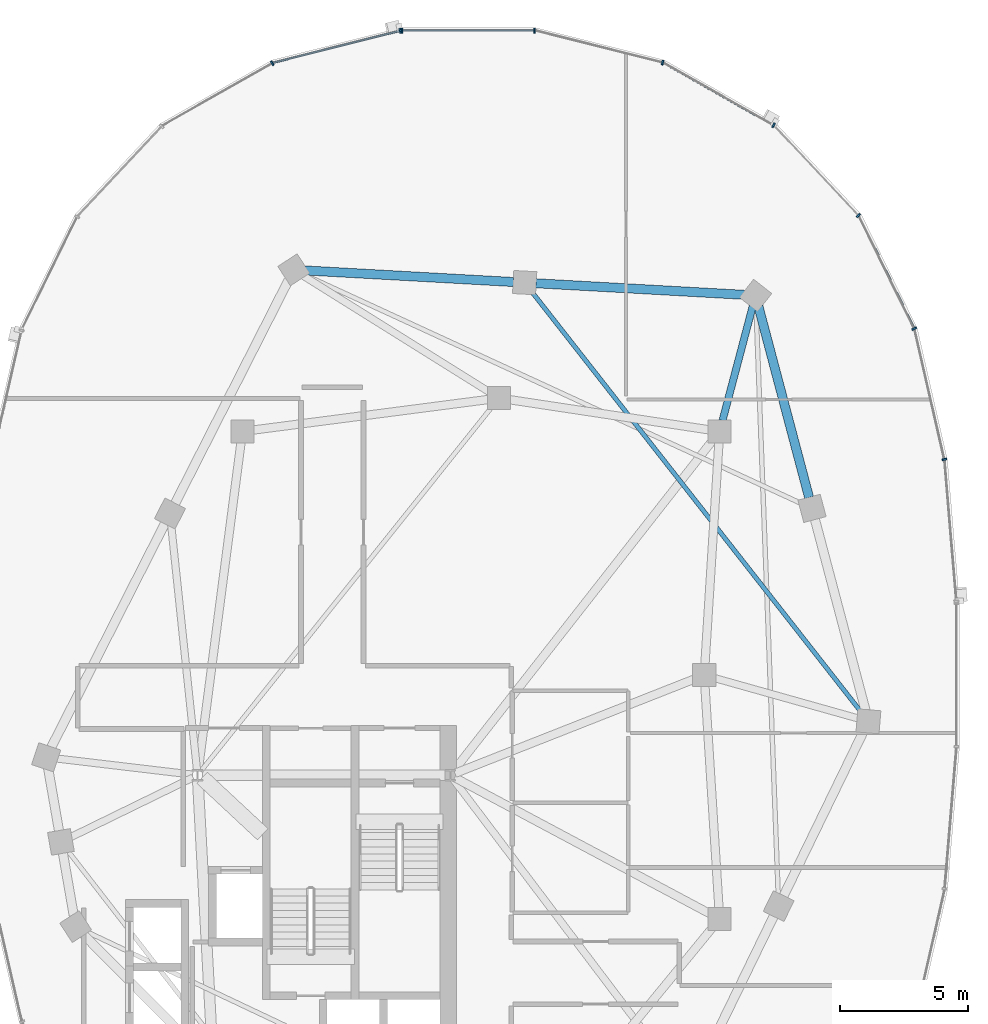
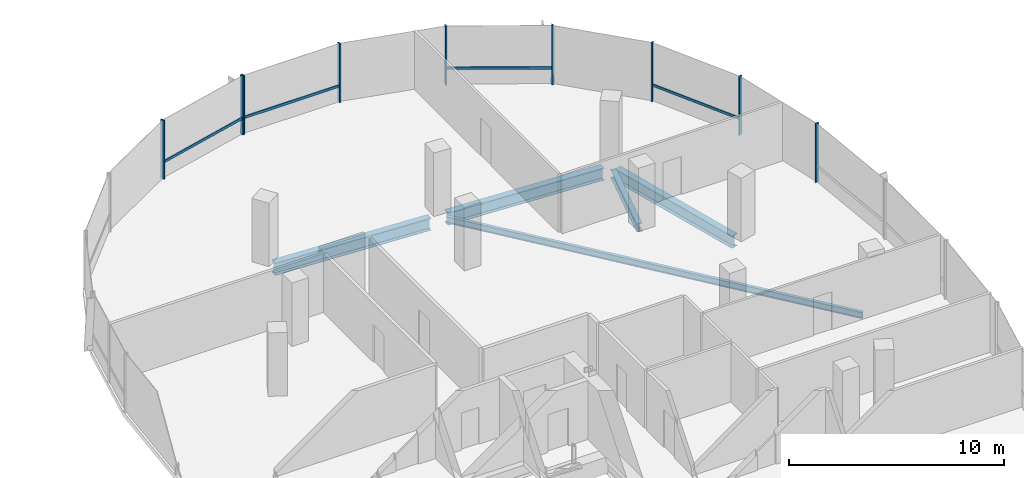
# One storey, part 12 of 25: 13 members, 5 beams, 2 elements without a shape of their own.
"""IFC4 building model written with IfcOpenShell, lengths in metres."""

from ifc_helpers import new_model, si_unit, direction, frame, origin, origin_2d, place, context, subcontext, project, spatial, rectangle, i_section, extrude, material, material_profile, profile_set, type_object, element, aggregate, save


model = new_model("IFC4")

# Units and contexts
model_context = context("Model", 3, precision=1e-05, world=origin(), true_north=direction((0.0, 1.0)))
body_context = subcontext(model_context, "Body", "Model", "MODEL_VIEW")
ifc_project = project(units=[si_unit("LENGTHUNIT", "METRE"), si_unit("AREAUNIT", "SQUARE_METRE"), si_unit("VOLUMEUNIT", "CUBIC_METRE"), si_unit("PLANEANGLEUNIT", "RADIAN"), si_unit("MASSUNIT", "GRAM", prefix="KILO"), si_unit("THERMODYNAMICTEMPERATUREUNIT", "KELVIN"), si_unit("POWERUNIT", "WATT")], contexts=[model_context])

# Site, building, storey
site_placement = place(None, origin())
site = spatial("IfcSite", under=ifc_project, at=site_placement, CompositionType="ELEMENT")
building_placement = place(site_placement, origin())
building = spatial("IfcBuilding", under=site, at=building_placement, Name="Cundina Bronze Exchange", CompositionType="ELEMENT")
storey_placement = place(building_placement, frame((0.0, 0.0, 213.39990234375)))
storey = spatial("IfcBuildingStorey", under=building, at=storey_placement, Name="L56", CompositionType="ELEMENT", Elevation=213.39990234375)

# Beams
ifc_material_1 = material(Name="Steel ASTM A992 Grade 50", Category="steel")
ifc_material_profile_1 = material_profile(ifc_material_1, i_section(OverallWidth=0.280029296875, OverallDepth=0.462890625, WebThickness=0.0107421875, FlangeThickness=0.017333984375, FilletRadius=0.011962890625, at=origin_2d()), Name="W18X76", Category="steel")
ifc_profile_set_1 = profile_set([ifc_material_profile_1], Name="Steel ASTM A992 Grade 50")
beam_type_1 = type_object("IfcBeamType", Name="BM-FLR-W18A", PredefinedType="BEAM", material=ifc_profile_set_1)
beam_1_placement = place(storey_placement, frame((41.911865234375, 9.923583984375, -0.491455078125), z_axis=(0.255398602339, 0.96683584642, 0.0), x_axis=(-0.96683584642, 0.255398602339, 0.0)))
element("IfcBeam", 1, at=beam_1_placement, inside=storey, type_object=beam_type_1, Name="L56 Leg E Chordal Floor Beam 10", PredefinedType="BEAM", context=body_context, shape_type="SweptSolid", body=[
    extrude(i_section(OverallWidth=0.280029296875, OverallDepth=0.462890625, WebThickness=0.0107421875, FlangeThickness=0.017333984375, FilletRadius=0.011962890625, at=origin_2d()), origin(), (0.0, 0.0, 1.0), 4.605712890625),
])
ifc_material_profile_2 = material_profile(ifc_material_1, i_section(OverallWidth=0.172119140625, OverallDepth=0.35791015625, WebThickness=0.0078125, FlangeThickness=0.01318359375, FilletRadius=0.010009765625, at=origin_2d()), Name="W14X38", Category="steel")
ifc_profile_set_2 = profile_set([ifc_material_profile_2], Name="Steel ASTM A992 Grade 50")
beam_type_2 = type_object("IfcBeamType", Name="BM-JST-W14", PredefinedType="JOIST", material=ifc_profile_set_2)
beam_2_placement = place(storey_placement, frame((47.329833984375, -1.455078125, -0.43896484375), z_axis=(-0.616810493522, 0.787111691618, 0.0), x_axis=(-0.787111691618, -0.616810493522, 0.0)))
element("IfcBeam", 2, at=beam_2_placement, inside=storey, type_object=beam_type_2, Name="L56 Leg E Lobe Floor Joist 08-11", PredefinedType="JOIST", context=body_context, shape_type="SweptSolid", body=[
    extrude(i_section(OverallWidth=0.172119140625, OverallDepth=0.35791015625, WebThickness=0.0078125, FlangeThickness=0.01318359375, FilletRadius=0.010009765625, at=origin_2d()), origin(), (0.0, 0.0, 1.0), 20.8486328125),
])
ifc_material_profile_3 = material_profile(ifc_material_1, i_section(OverallWidth=0.35498046875, OverallDepth=0.695068359375, WebThickness=0.015380859375, FlangeThickness=0.02490234375, FilletRadius=0.01806640625, at=origin_2d()), Name="W27X146", Category="steel")
ifc_profile_set_3 = profile_set([ifc_material_profile_3], Name="Steel ASTM A992 Grade 50")
beam_type_3 = type_object("IfcBeamType", Name="BM-RING-W27", PredefinedType="USERDEFINED", material=ifc_profile_set_3)
beam_3_placement = place(storey_placement, frame((45.287841796875, 6.92333984375, -0.607421875), z_axis=(-0.256211934474, 0.966620631185, 0.0), x_axis=(-0.966620631185, -0.256211934474, 0.0)))
element("IfcBeam", 3, at=beam_3_placement, inside=storey, type_object=beam_type_3, Name="L56 E Perimeter Ring Girder 09", ObjectType="GIRDER", PredefinedType="USERDEFINED", context=body_context, shape_type="SweptSolid", body=[
    extrude(i_section(OverallWidth=0.35498046875, OverallDepth=0.695068359375, WebThickness=0.015380859375, FlangeThickness=0.02490234375, FilletRadius=0.01806640625, at=origin_2d()), origin(), (0.0, 0.0, 1.0), 7.710693359375),
])
for number, where, z_axis, x_axis, name in (
    (4, (42.7626953125, 14.82421875, -0.607421875), (-0.998460353205, 0.055470019623, 0.0), (-0.055470019623, -0.998460353205, 0.0), "L56 E Perimeter Ring Girder 10"),
    (5, (33.7626953125, 15.32421875, -0.607421875), (-0.998460353205, 0.055470019623, 0.0), (-0.055470019623, -0.998460353205, 0.0), "L56 E Perimeter Ring Girder 11"),
):
    element("IfcBeam", number, at=place(storey_placement, frame(where, z_axis=z_axis, x_axis=x_axis)), inside=storey, type_object=beam_type_3, Name=name, ObjectType="GIRDER", PredefinedType="USERDEFINED", context=body_context, shape_type="SweptSolid", body=[
        extrude(i_section(OverallWidth=0.35498046875, OverallDepth=0.695068359375, WebThickness=0.015380859375, FlangeThickness=0.02490234375, FilletRadius=0.01806640625, at=origin_2d()), origin(), (0.0, 0.0, 1.0), 8.137939453125),
    ])

# Curtain wall, members
ifc_material_2 = material(Name="Anodised Bronze Aluminium 6063-T6", Category="aluminium")
curtain_wall_type = type_object("IfcCurtainWallType", Name="CWS-UPP-OFF", PredefinedType="NOTDEFINED", material=ifc_material_2)
curtain_wall_1_placement = place(storey_placement, origin())
curtain_wall_1 = element("IfcCurtainWall", 6, at=curtain_wall_1_placement, inside=storey, type_object=curtain_wall_type, Name="L56 CW-05 Curtain Wall Run CWR-L56-E1", PredefinedType="NOTDEFINED")
ifc_material_profile_4 = material_profile(ifc_material_2, rectangle(XDim=0.070068359375, YDim=0.18994140625, at=origin_2d()), Name="AL70X190", Category="aluminium")
ifc_profile_set_4 = profile_set([ifc_material_profile_4], Name="Anodised Bronze Aluminium 6063-T6")
member_type_1 = type_object("IfcMemberType", Name="CWM-MUL-190", PredefinedType="MULLION", material=ifc_profile_set_4)
member_1_placement = place(storey_placement, frame((50.56005859375, 8.4111328125, 0.0), z_axis=(0.0, 0.0, 1.0), x_axis=(-0.223250116011, 0.974761194191, 0.0)))
member_1 = element("IfcMember", 7, at=member_1_placement, type_object=member_type_1, Name="CW-05 Mullion 2", PredefinedType="MULLION", context=body_context, shape_type="SweptSolid", body=[
    extrude(rectangle(XDim=0.070068359375, YDim=0.18994140625, at=origin_2d()), origin(), (0.0, 0.0, 1.0), 3.340087890625),
])
member_2_placement = place(storey_placement, frame((49.38427734375, 13.50732421875, 0.0), z_axis=(0.0, 0.0, 1.0), x_axis=(-0.440566004113, 0.897720221461, 0.0)))
member_2 = element("IfcMember", 8, at=member_2_placement, type_object=member_type_1, Name="CW-05 Mullion 3", PredefinedType="MULLION", context=body_context, shape_type="SweptSolid", body=[
    extrude(rectangle(XDim=0.070068359375, YDim=0.18994140625, at=origin_2d()), origin(), (0.0, 0.0, 1.0), 3.340087890625),
])
member_3_placement = place(storey_placement, frame((47.209716796875, 17.91796875, 0.0), z_axis=(0.0, 0.0, 1.0), x_axis=(-0.684292606175, 0.729207535023, 0.0)))
member_3 = element("IfcMember", 9, at=member_3_placement, type_object=member_type_1, Name="CW-05 Mullion 4", PredefinedType="MULLION", context=body_context, shape_type="SweptSolid", body=[
    extrude(rectangle(XDim=0.070068359375, YDim=0.18994140625, at=origin_2d()), origin(), (0.0, 0.0, 1.0), 3.340087890625),
])
member_4_placement = place(storey_placement, frame((43.899658203125, 21.43115234375, 0.0), z_axis=(0.0, 0.0, 1.0), x_axis=(-0.86958112538, 0.493790103568, 0.0)))
member_4 = element("IfcMember", 10, at=member_4_placement, type_object=member_type_1, Name="CW-05 Mullion 5", PredefinedType="MULLION", context=body_context, shape_type="SweptSolid", body=[
    extrude(rectangle(XDim=0.070068359375, YDim=0.18994140625, at=origin_2d()), origin(), (0.0, 0.0, 1.0), 3.340087890625),
])
member_5_placement = place(storey_placement, frame((39.577392578125, 23.87548828125, 0.0), z_axis=(0.0, 0.0, 1.0), x_axis=(-0.969744325821, 0.244122802168, 0.0)))
member_5 = element("IfcMember", 11, at=member_5_placement, type_object=member_type_1, Name="CW-05 Mullion 6", PredefinedType="MULLION", context=body_context, shape_type="SweptSolid", body=[
    extrude(rectangle(XDim=0.070068359375, YDim=0.18994140625, at=origin_2d()), origin(), (0.0, 0.0, 1.0), 3.340087890625),
])
member_6_placement = place(storey_placement, frame((34.580078125, 25.125, 0.0), z_axis=(0.0, 0.0, 1.0), x_axis=(-1.0, 0.0, 0.0)))
member_6 = element("IfcMember", 12, at=member_6_placement, type_object=member_type_1, Name="CW-05 Mullion 7", PredefinedType="MULLION", context=body_context, shape_type="SweptSolid", body=[
    extrude(rectangle(XDim=0.070068359375, YDim=0.18994140625, at=origin_2d()), origin(), (0.0, 0.0, 1.0), 3.340087890625),
])
member_7_placement = place(storey_placement, frame((29.419921875, 25.125, 0.0), z_axis=(0.0, 0.0, 1.0), x_axis=(-1.0, 0.0, 0.0)))
member_7 = element("IfcMember", 13, at=member_7_placement, type_object=member_type_1, Name="CW-05 End Mullion", PredefinedType="MULLION", context=body_context, shape_type="SweptSolid", body=[
    extrude(rectangle(XDim=0.070068359375, YDim=0.18994140625, at=origin_2d()), origin(), (0.0, 0.0, 1.0), 3.340087890625),
])

curtain_wall_2_placement = place(storey_placement, origin())
curtain_wall_2 = element("IfcCurtainWall", 14, at=curtain_wall_2_placement, inside=storey, type_object=curtain_wall_type, Name="L56 CW-05 Curtain Wall Run CWR-L56-E2", PredefinedType="NOTDEFINED")
member_8_placement = place(storey_placement, frame((29.3515625, 25.116455078125, 0.0), z_axis=(0.0, 0.0, 1.0), x_axis=(-0.969744325821, -0.244122802168, 0.0)))
member_8 = element("IfcMember", 15, at=member_8_placement, type_object=member_type_1, Name="CW-05 Mullion 1", PredefinedType="MULLION", context=body_context, shape_type="SweptSolid", body=[
    extrude(rectangle(XDim=0.070068359375, YDim=0.18994140625, at=origin_2d()), origin(), (0.0, 0.0, 1.0), 3.340087890625),
])
member_9_placement = place(storey_placement, frame((24.361083984375, 23.850830078125, 0.0), z_axis=(0.0, 0.0, 1.0), x_axis=(-0.86958112538, -0.493790103568, 0.0)))
member_9 = element("IfcMember", 16, at=member_9_placement, type_object=member_type_1, Name="CW-05 Mullion 2", PredefinedType="MULLION", context=body_context, shape_type="SweptSolid", body=[
    extrude(rectangle(XDim=0.070068359375, YDim=0.18994140625, at=origin_2d()), origin(), (0.0, 0.0, 1.0), 3.340087890625),
])

# Member
ifc_material_profile_5 = material_profile(ifc_material_2, rectangle(XDim=0.06494140625, YDim=0.14990234375, at=origin_2d()), Name="AL65X150", Category="aluminium")
ifc_profile_set_5 = profile_set([ifc_material_profile_5], Name="Anodised Bronze Aluminium 6063-T6")
member_type_2 = type_object("IfcMemberType", Name="CWM-TRN-150", PredefinedType="USERDEFINED", material=ifc_profile_set_5)
member_10_placement = place(storey_placement, frame((49.3671875, 13.5419921875, 0.920166015625), z_axis=(-0.440483110889, 0.897760897467, 0.0), x_axis=(-0.897760897467, -0.440483110889, 0.0)))
member_10 = element("IfcMember", 17, at=member_10_placement, type_object=member_type_2, Name="CW-05 Spandrel Transom 3", ObjectType="TRANSOM", PredefinedType="USERDEFINED", context=body_context, shape_type="SweptSolid", body=[
    extrude(rectangle(XDim=0.06494140625, YDim=0.14990234375, at=origin_2d()), origin(), (0.0, 0.0, 1.0), 4.855224609375),
])

member_11_placement = place(storey_placement, frame((43.8662109375, 21.4501953125, 0.920166015625), z_axis=(-0.869573748083, 0.493803095013, 0.0), x_axis=(-0.493803095013, -0.869573748083, 0.0)))
member_11 = element("IfcMember", 18, at=member_11_placement, type_object=member_type_2, Name="CW-05 Spandrel Transom 5", ObjectType="TRANSOM", PredefinedType="USERDEFINED", context=body_context, shape_type="SweptSolid", body=[
    extrude(rectangle(XDim=0.06494140625, YDim=0.14990234375, at=origin_2d()), origin(), (0.0, 0.0, 1.0), 4.900146484375),
])

member_12_placement = place(storey_placement, frame((34.54150390625, 25.125, 0.920166015625), z_axis=(-1.0, 0.0, 0.0), x_axis=(0.0, -1.0, 0.0)))
member_12 = element("IfcMember", 19, at=member_12_placement, type_object=member_type_2, Name="CW-05 Spandrel Transom 7", ObjectType="TRANSOM", PredefinedType="USERDEFINED", context=body_context, shape_type="SweptSolid", body=[
    extrude(rectangle(XDim=0.06494140625, YDim=0.14990234375, at=origin_2d()), origin(), (0.0, 0.0, 1.0), 5.0830078125),
])

aggregate(curtain_wall_1, [member_1, member_2, member_10, member_3, member_4, member_11, member_5, member_6, member_7, member_12])

member_13_placement = place(storey_placement, frame((29.314208984375, 25.107177734375, 0.920166015625), z_axis=(-0.969725738797, -0.244196624699, 0.0), x_axis=(0.244196624699, -0.969725738797, 0.0)))
member_13 = element("IfcMember", 20, at=member_13_placement, type_object=member_type_2, Name="CW-05 Spandrel Transom 1", ObjectType="TRANSOM", PredefinedType="USERDEFINED", context=body_context, shape_type="SweptSolid", body=[
    extrude(rectangle(XDim=0.06494140625, YDim=0.14990234375, at=origin_2d()), origin(), (0.0, 0.0, 1.0), 5.082763671875),
])

aggregate(curtain_wall_2, [member_8, member_13, member_9])

save(model, "model.ifc")
